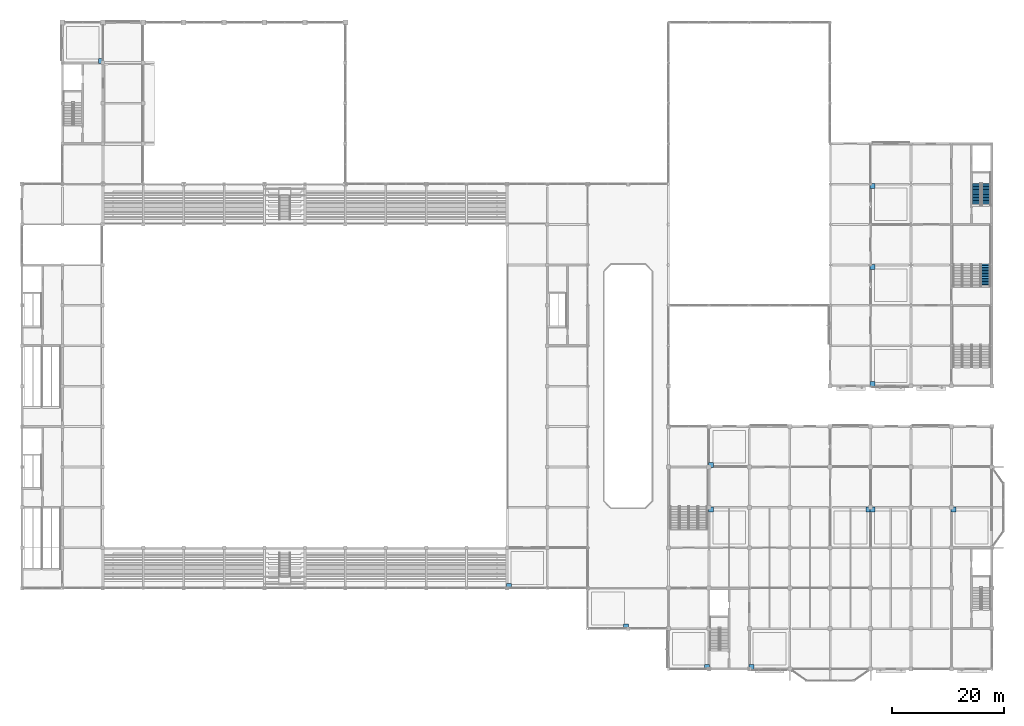
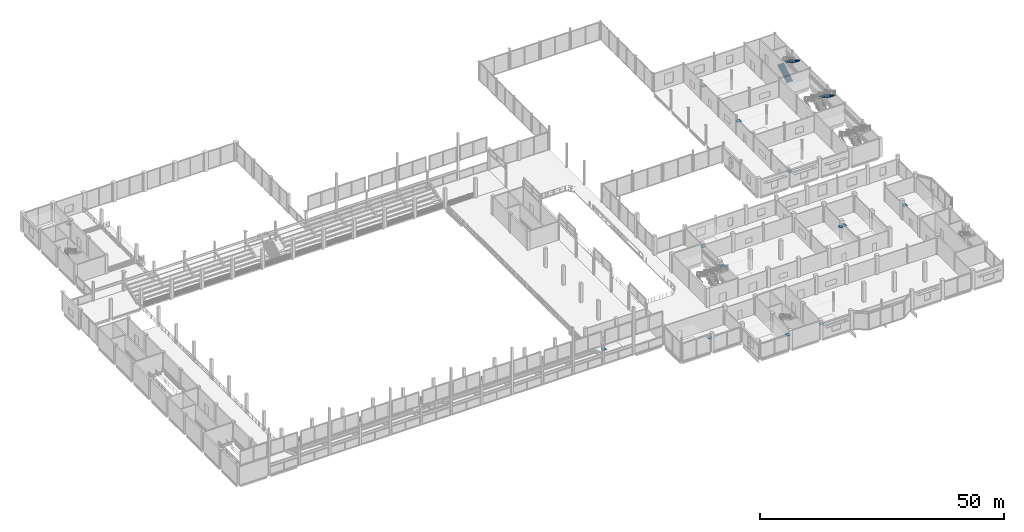
# One storey, part 100 of 120: 13 discrete accessories, 3 stair flights, 2 elements without a shape of their own.
"""IFC4 building model written with IfcOpenShell, lengths in metres."""

from ifc_helpers import new_model, si_unit, direction, frame, origin, origin_2d, place, context, subcontext, project, spatial, polyline, rectangle, outline, extrude, material, type_object, element, aggregate, save


model = new_model("IFC4")

# Units and contexts
model_context = context("Model", 3, precision=1e-05, world=origin(), true_north=direction((0.0, 1.0)))
body_context = subcontext(model_context, "Body", "Model", "MODEL_VIEW")
ifc_project = project(units=[si_unit("LENGTHUNIT", "METRE"), si_unit("AREAUNIT", "SQUARE_METRE"), si_unit("VOLUMEUNIT", "CUBIC_METRE"), si_unit("PLANEANGLEUNIT", "RADIAN"), si_unit("MASSUNIT", "GRAM", prefix="KILO")], contexts=[model_context])

# Site, building, storey
site_placement = place(None, origin())
site = spatial("IfcSite", under=ifc_project, at=site_placement, CompositionType="ELEMENT")
building_placement = place(site_placement, origin())
building = spatial("IfcBuilding", under=site, at=building_placement, Name="Vesperath Aquatics Centre", CompositionType="ELEMENT")
storey_placement = place(building_placement, frame((0.0, 0.0, 10.199951171875)))
storey = spatial("IfcBuildingStorey", under=building, at=storey_placement, Name="L02", CompositionType="ELEMENT", Elevation=10.199951171875)

# Stair, stair flights
ifc_material_1 = material(Name="Concrete C35", Category="concrete")
stair_type_1 = type_object("IfcStairType", Name="ST-HT48", PredefinedType="HALF_TURN_STAIR", material=ifc_material_1)
stair_1_placement = place(storey_placement, origin())
stair_1 = element("IfcStair", 1, at=stair_1_placement, inside=storey, type_object=stair_type_1, Name="Enclosed Exit Stair ST4 L02", PredefinedType="HALF_TURN_STAIR")
stair_flight_type_1 = type_object("IfcStairFlightType", Name="SF-F48", PredefinedType="STRAIGHT", material=ifc_material_1)
stair_flight_1_placement = place(storey_placement, frame((170.070068359375, 82.6201171875, 0.0), z_axis=(0.0, 0.0, 1.0), x_axis=(0.0, 1.0, 0.0)))
stair_flight_1 = element("IfcStairFlight", 2, at=stair_flight_1_placement, type_object=stair_flight_type_1, Name="Stair ST4 Flight 1 L02", NumberOfRisers=15, NumberOfTreads=14, PredefinedType="STRAIGHT", RiserHeight=0.16, TreadLength=0.28, context=body_context, shape_type="SweptSolid", body=[
    extrude(outline(polyline([(0.0, 0.0), (0.0, 0.159912109375), (0.280029296875, 0.159912109375), (0.280029296875, 0.320068359375), (0.56005859375, 0.320068359375), (0.56005859375, 0.47998046875), (0.840087890625, 0.47998046875), (0.840087890625, 0.639892578125), (1.1201171875, 0.639892578125), (1.1201171875, 0.800048828125), (1.39990234375, 0.800048828125), (1.39990234375, 0.9599609375), (1.679931640625, 0.9599609375), (1.679931640625, 1.1201171875), (1.9599609375, 1.1201171875), (1.9599609375, 1.280029296875), (2.239990234375, 1.280029296875), (2.239990234375, 1.43994140625), (2.52001953125, 1.43994140625), (2.52001953125, 1.60009765625), (2.800048828125, 1.60009765625), (2.800048828125, 1.760009765625), (3.080078125, 1.760009765625), (3.080078125, 1.919921875), (3.360107421875, 1.919921875), (3.360107421875, 2.080078125), (3.639892578125, 2.080078125), (3.639892578125, 2.239990234375), (3.919921875, 2.239990234375), (3.919921875, 2.39990234375), (3.919921875, 2.03271484375), (0.362548828125, 0.0), (0.0, 0.0)])), frame((0.0, 0.719970703125, 0.0), z_axis=(0.0, -1.0, 0.0), x_axis=(1.0, 0.0, 0.0)), (0.0, 0.0, 1.0), 1.43994140625),
])
stair_flight_2_placement = place(storey_placement, frame((171.75, 86.5400390625, 2.400146484375), z_axis=(0.0, 0.0, 1.0), x_axis=(0.0, -1.0, 0.0)))
stair_flight_2 = element("IfcStairFlight", 3, at=stair_flight_2_placement, type_object=stair_flight_type_1, Name="Stair ST4 Flight 2 L02", NumberOfRisers=15, NumberOfTreads=14, PredefinedType="STRAIGHT", RiserHeight=0.16, TreadLength=0.28, context=body_context, shape_type="SweptSolid", body=[
    extrude(outline(polyline([(0.0, 0.0), (0.0, 0.159912109375), (0.280029296875, 0.159912109375), (0.280029296875, 0.320068359375), (0.56005859375, 0.320068359375), (0.56005859375, 0.47998046875), (0.840087890625, 0.47998046875), (0.840087890625, 0.639892578125), (1.1201171875, 0.639892578125), (1.1201171875, 0.800048828125), (1.39990234375, 0.800048828125), (1.39990234375, 0.9599609375), (1.679931640625, 0.9599609375), (1.679931640625, 1.1201171875), (1.9599609375, 1.1201171875), (1.9599609375, 1.280029296875), (2.239990234375, 1.280029296875), (2.239990234375, 1.43994140625), (2.52001953125, 1.43994140625), (2.52001953125, 1.60009765625), (2.800048828125, 1.60009765625), (2.800048828125, 1.760009765625), (3.080078125, 1.760009765625), (3.080078125, 1.919921875), (3.360107421875, 1.919921875), (3.360107421875, 2.080078125), (3.639892578125, 2.080078125), (3.639892578125, 2.239990234375), (3.919921875, 2.239990234375), (3.919921875, 2.39990234375), (3.919921875, 2.03271484375), (0.362548828125, 0.0), (0.0, 0.0)])), frame((0.0, 0.719970703125, 0.0), z_axis=(0.0, -1.0, 0.0), x_axis=(1.0, 0.0, 0.0)), (0.0, 0.0, 1.0), 1.43994140625),
])
aggregate(stair_1, [stair_flight_1, stair_flight_2])

# Stair, stair flight
stair_type_2 = type_object("IfcStairType", Name="ST-HW48", PredefinedType="HALF_TURN_STAIR", material=ifc_material_1)
stair_2_placement = place(storey_placement, origin())
stair_2 = element("IfcStair", 4, at=stair_2_placement, inside=storey, type_object=stair_type_2, Name="Enclosed Exit Stair ST13B L02", PredefinedType="HALF_TURN_STAIR")
stair_flight_type_2 = type_object("IfcStairFlightType", Name="SF-W48", PredefinedType="STRAIGHT", material=ifc_material_1)
stair_flight_3_placement = place(storey_placement, frame((171.675048828125, 72.139892578125, 2.400146484375), z_axis=(0.0, 0.0, 1.0), x_axis=(0.0, -1.0, 0.0)))
stair_flight_3 = element("IfcStairFlight", 5, at=stair_flight_3_placement, type_object=stair_flight_type_2, Name="Stair ST13B Flight 2 L02", NumberOfRisers=15, NumberOfTreads=14, PredefinedType="STRAIGHT", RiserHeight=0.16, TreadLength=0.28, context=body_context, shape_type="SweptSolid", body=[
    extrude(outline(polyline([(0.0, 0.0), (0.0, 0.159912109375), (0.280029296875, 0.159912109375), (0.280029296875, 0.320068359375), (0.56005859375, 0.320068359375), (0.56005859375, 0.47998046875), (0.840087890625, 0.47998046875), (0.840087890625, 0.639892578125), (1.1201171875, 0.639892578125), (1.1201171875, 0.800048828125), (1.39990234375, 0.800048828125), (1.39990234375, 0.9599609375), (1.679931640625, 0.9599609375), (1.679931640625, 1.1201171875), (1.9599609375, 1.1201171875), (1.9599609375, 1.280029296875), (2.239990234375, 1.280029296875), (2.239990234375, 1.43994140625), (2.52001953125, 1.43994140625), (2.52001953125, 1.60009765625), (2.800048828125, 1.60009765625), (2.800048828125, 1.760009765625), (3.080078125, 1.760009765625), (3.080078125, 1.919921875), (3.360107421875, 1.919921875), (3.360107421875, 2.080078125), (3.639892578125, 2.080078125), (3.639892578125, 2.239990234375), (3.919921875, 2.239990234375), (3.919921875, 2.39990234375), (3.919921875, 2.03271484375), (0.362548828125, 0.0), (0.0, 0.0)])), frame((0.0, 0.78515625, 0.0), z_axis=(0.0, -1.0, 0.0), x_axis=(1.0, 0.0, 0.0)), (0.0, 0.0, 1.0), 1.570068359375),
])
aggregate(stair_2, [stair_flight_3])

# Discrete accessories
ifc_material_2 = material(Name="Stainless steel facade anchor bracket", Category="steel")
discrete_accessory_type = type_object("IfcDiscreteAccessoryType", Name="DA-BRK01", PredefinedType="BRACKET", material=ifc_material_2)
for number, where, z_axis, x_axis, name in (
    (6, (86.760009765625, 14.760009765625, 3.419921875), (0.0, 0.0, 1.0), (1.0, 0.0, 0.0), "Ceiling Perimeter Suspension Bracket BK01 L02_VIP"),
    (7, (14.0400390625, 108.360107421875, 3.419921875), (0.0, 0.0, 1.0), (1.0, 0.0, 0.0), "Ceiling Perimeter Suspension Bracket BK01 L02_DIVE_VID"),
    (8, (107.639892578125, 7.56005859375, 3.419921875), (0.0, 0.0, 1.0), (1.0, 0.0, 0.0), "Ceiling Perimeter Suspension Bracket BK01 L02_SALON"),
    (9, (151.56005859375, 50.760009765625, 3.419921875), (0.0, 0.0, 1.0), (1.0, 0.0, 0.0), "Ceiling Perimeter Suspension Bracket BK01 L02_CLUB_1"),
    (10, (151.56005859375, 71.639892578125, 3.419921875), (0.0, 0.0, 1.0), (1.0, 0.0, 0.0), "Ceiling Perimeter Suspension Bracket BK01 L02_CLUB_2"),
    (11, (151.56005859375, 86.0400390625, 3.419921875), (0.0, 0.0, 1.0), (1.0, 0.0, 0.0), "Ceiling Perimeter Suspension Bracket BK01 L02_CLUB_3"),
    (12, (122.0400390625, 0.360107421875, 3.419921875), (0.0, 0.0, 1.0), (1.0, 0.0, 0.0), "Ceiling Perimeter Suspension Bracket BK01 L02_CARDIO"),
    (13, (129.9599609375, 0.360107421875, 3.419921875), (0.0, 0.0, 1.0), (1.0, 0.0, 0.0), "Ceiling Perimeter Suspension Bracket BK01 L02_WEIGHTS"),
    (14, (122.760009765625, 28.43994140625, 3.419921875), (0.0, 0.0, 1.0), (1.0, 0.0, 0.0), "Ceiling Perimeter Suspension Bracket BK01 L02_FUNC_TR"),
    (15, (150.840087890625, 28.43994140625, 3.419921875), (0.0, 0.0, 1.0), (1.0, 0.0, 0.0), "Ceiling Perimeter Suspension Bracket BK01 L02_MWC"),
    (16, (151.56005859375, 28.43994140625, 3.419921875), (0.0, 0.0, 1.0), (1.0, 0.0, 0.0), "Ceiling Perimeter Suspension Bracket BK01 L02_FWC"),
    (17, (165.9599609375, 28.43994140625, 3.419921875), (0.0, 0.0, 1.0), (1.0, 0.0, 0.0), "Ceiling Perimeter Suspension Bracket BK01 L02_AWC"),
    (18, (122.760009765625, 36.360107421875, 3.419921875), (0.0, 0.0, 1.0), (1.0, 0.0, 0.0), "Ceiling Perimeter Suspension Bracket BK01 L02_SPIN"),
):
    element("IfcDiscreteAccessory", number, at=place(storey_placement, frame(where, z_axis=z_axis, x_axis=x_axis)), inside=storey, type_object=discrete_accessory_type, Name=name, PredefinedType="BRACKET", context=body_context, shape_type="SweptSolid", body=[
        extrude(rectangle(XDim=0.8798828125, YDim=0.8798828125, at=origin_2d()), origin(), (0.0, 0.0, 1.0), 0.054931640625),
    ])

save(model, "model.ifc")
